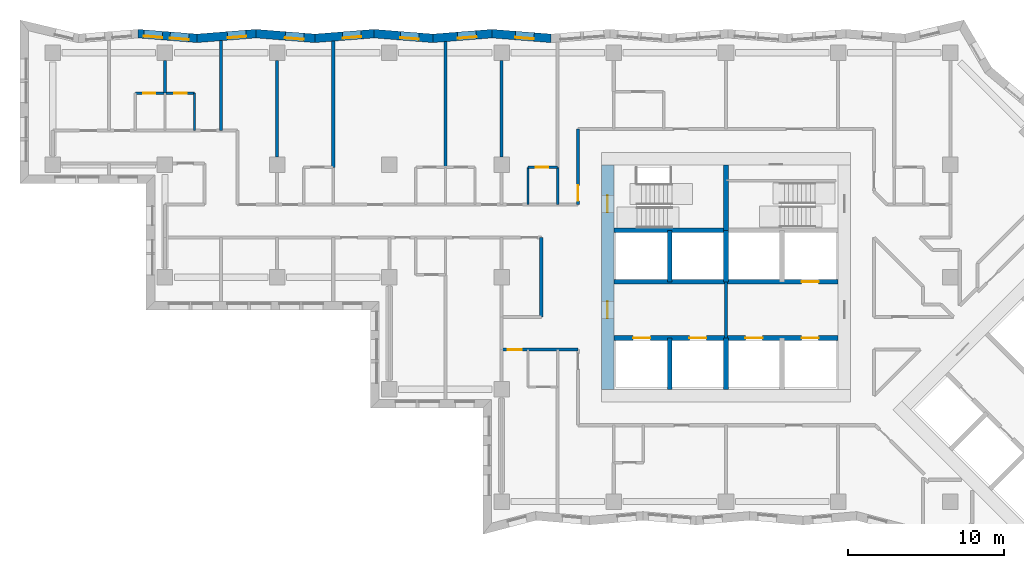
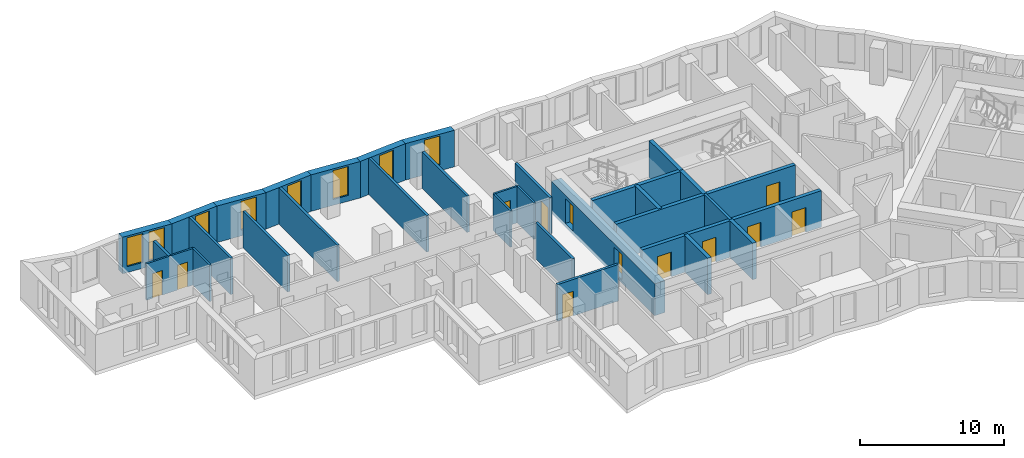
# One storey, part 5 of 12: 31 walls, 12 doors, 8 windows, 20 openings.
"""IFC4 building model written with IfcOpenShell, lengths in metres."""

from ifc_helpers import new_model, si_unit, direction, frame, frame_2d, origin, place, context, subcontext, project, spatial, polyline, rectangle, outline, extrude, material, layer, layer_set, type_object, element, fill, save


model = new_model("IFC4")

# Units and contexts
model_context = context("Model", 3, precision=1e-05, world=origin(), true_north=direction((0.0, 1.0)))
body_context = subcontext(model_context, "Body", "Model", "MODEL_VIEW")
ifc_project = project(units=[si_unit("LENGTHUNIT", "METRE"), si_unit("AREAUNIT", "SQUARE_METRE"), si_unit("VOLUMEUNIT", "CUBIC_METRE"), si_unit("PLANEANGLEUNIT", "RADIAN"), si_unit("MASSUNIT", "GRAM", prefix="KILO")], contexts=[model_context])

# Site, building, storey
site_placement = place(None, origin())
site = spatial("IfcSite", under=ifc_project, at=site_placement, CompositionType="ELEMENT")
building_placement = place(site_placement, origin())
building = spatial("IfcBuilding", under=site, at=building_placement, Name="Windrow Commons", CompositionType="ELEMENT")
storey_placement = place(building_placement, frame((0.0, 0.0, 81.2)))
storey = spatial("IfcBuildingStorey", under=building, at=storey_placement, Name="L21", CompositionType="ELEMENT", Elevation=81.2)

# Wall, opening, window
ifc_material_1 = material(Name="Brick masonry, red clay brick", Category="masonry")
ifc_layer_1 = layer(ifc_material_1, 0.55)
ifc_layer_set_1 = layer_set([ifc_layer_1], Name="Brick facade wall 550")
wall_type_1 = type_object("IfcWallType", Name="Brick facade wall 550", PredefinedType="SOLIDWALL", material=ifc_layer_set_1)
wall_1_placement = place(storey_placement, frame((53.5706, 72.9241, 0.0), z_axis=(0.0, 0.0, 1.0), x_axis=(-0.9968747806, 0.0789979222, 0.0)))
wall_1 = element("IfcWall", 1, at=wall_1_placement, inside=storey, type_object=wall_type_1, Name="Brick facade wall L21 28", PredefinedType="SOLIDWALL", context=body_context, shape_type="SweptSolid", body=[
    extrude(outline(polyline([(0.0218, -0.275), (3.8193, -0.275), (3.7757, 0.275), (-0.0218, 0.275), (0.0218, -0.275)])), origin(), (0.0, 0.0, 1.0), 3.1),
])
opening_1_placement = place(wall_1_placement, frame((1.0903, 0.0, 0.5)))
opening_1 = element("IfcOpeningElement", 2, at=opening_1_placement, cuts=wall_1, Name="Opening W7D", PredefinedType="OPENING", context=body_context, shape_type="SweptSolid", body=[
    extrude(rectangle(XDim=1.2, YDim=2.45, at=frame_2d((0.6, 1.225))), frame((0.0, 0.285, 0.0), z_axis=(0.0, -1.0, 0.0), x_axis=(1.0, 0.0, 0.0)), (0.0, 0.0, 1.0), 0.57),
])
ifc_material_2 = material(Name="Clear float glass in anodised aluminium frame", Category="aluminium")
window_type = type_object("IfcWindowType", Name="Window W7 notch 1200x2450", PartitioningType="SINGLE_PANEL", PredefinedType="WINDOW", material=ifc_material_2)
window_1_placement = place(opening_1_placement, origin())
window_1 = element("IfcWindow", 3, at=window_1_placement, inside=storey, type_object=window_type, Name="Window L21 28.1", OverallHeight=2.45, OverallWidth=1.2, PartitioningType="SINGLE_PANEL", PredefinedType="WINDOW", context=body_context, shape_type="SweptSolid", body=[
    extrude(rectangle(XDim=1.2, YDim=2.45, at=frame_2d((0.6, 1.225))), frame((0.0, 0.155, 0.0), z_axis=(0.0, -1.0, 0.0), x_axis=(1.0, 0.0, 0.0)), (0.0, 0.0, 1.0), 0.06),
])
fill(opening_1, window_1)

wall_2_placement = place(storey_placement, frame((49.7849, 73.2241, 0.0), z_axis=(0.0, 0.0, 1.0), x_axis=(-0.9968746163, -0.078999996, 0.0)))
wall_2 = element("IfcWall", 4, at=wall_2_placement, inside=storey, type_object=wall_type_1, Name="Brick facade wall L21 29", PredefinedType="SOLIDWALL", context=body_context, shape_type="SweptSolid", body=[
    extrude(outline(polyline([(-0.0218, -0.275), (3.7757, -0.275), (3.8193, 0.275), (0.0218, 0.275), (-0.0218, -0.275)])), origin(), (0.0, 0.0, 1.0), 3.1),
])
opening_2_placement = place(wall_2_placement, frame((1.008, 0.0, 0.5)))
opening_2 = element("IfcOpeningElement", 5, at=opening_2_placement, cuts=wall_2, Name="Opening W7D", PredefinedType="OPENING", context=body_context, shape_type="SweptSolid", body=[
    extrude(rectangle(XDim=1.2, YDim=2.45, at=frame_2d((0.6, 1.225))), frame((0.0, 0.285, 0.0), z_axis=(0.0, -1.0, 0.0), x_axis=(1.0, 0.0, 0.0)), (0.0, 0.0, 1.0), 0.57),
])
window_2_placement = place(opening_2_placement, origin())
window_2 = element("IfcWindow", 6, at=window_2_placement, inside=storey, type_object=window_type, Name="Window L21 29.1", OverallHeight=2.45, OverallWidth=1.2, PartitioningType="SINGLE_PANEL", PredefinedType="WINDOW", context=body_context, shape_type="SweptSolid", body=[
    extrude(rectangle(XDim=1.2, YDim=2.45, at=frame_2d((0.6, 1.225))), frame((0.0, 0.155, 0.0), z_axis=(0.0, -1.0, 0.0), x_axis=(1.0, 0.0, 0.0)), (0.0, 0.0, 1.0), 0.06),
])
fill(opening_2, window_2)

wall_3_placement = place(storey_placement, frame((45.9993, 72.9241, 0.0), z_axis=(0.0, 0.0, 1.0), x_axis=(-0.9968746163, 0.078999996, 0.0)))
wall_3 = element("IfcWall", 7, at=wall_3_placement, inside=storey, type_object=wall_type_1, Name="Brick facade wall L21 30", PredefinedType="SOLIDWALL", context=body_context, shape_type="SweptSolid", body=[
    extrude(outline(polyline([(0.0218, -0.275), (3.8193, -0.275), (3.7757, 0.275), (-0.0218, 0.275), (0.0218, -0.275)])), origin(), (0.0, 0.0, 1.0), 3.1),
])
opening_3_placement = place(wall_3_placement, frame((0.9041, 0.0, 0.5)))
opening_3 = element("IfcOpeningElement", 8, at=opening_3_placement, cuts=wall_3, Name="Opening W7D", PredefinedType="OPENING", context=body_context, shape_type="SweptSolid", body=[
    extrude(rectangle(XDim=1.2, YDim=2.45, at=frame_2d((0.6, 1.225))), frame((0.0, 0.285, 0.0), z_axis=(0.0, -1.0, 0.0), x_axis=(1.0, 0.0, 0.0)), (0.0, 0.0, 1.0), 0.57),
])
window_3_placement = place(opening_3_placement, origin())
window_3 = element("IfcWindow", 9, at=window_3_placement, inside=storey, type_object=window_type, Name="Window L21 30.1", OverallHeight=2.45, OverallWidth=1.2, PartitioningType="SINGLE_PANEL", PredefinedType="WINDOW", context=body_context, shape_type="SweptSolid", body=[
    extrude(rectangle(XDim=1.2, YDim=2.45, at=frame_2d((0.6, 1.225))), frame((0.0, 0.155, 0.0), z_axis=(0.0, -1.0, 0.0), x_axis=(1.0, 0.0, 0.0)), (0.0, 0.0, 1.0), 0.06),
])
fill(opening_3, window_3)

wall_4_placement = place(storey_placement, frame((42.2137, 73.2241, 0.0), z_axis=(0.0, 0.0, 1.0), x_axis=(-0.9968746163, -0.078999996, 0.0)))
wall_4 = element("IfcWall", 10, at=wall_4_placement, inside=storey, type_object=wall_type_1, Name="Brick facade wall L21 31", PredefinedType="SOLIDWALL", context=body_context, shape_type="SweptSolid", body=[
    extrude(outline(polyline([(-0.0218, -0.275), (3.7757, -0.275), (3.8193, 0.275), (0.0218, 0.275), (-0.0218, -0.275)])), origin(), (0.0, 0.0, 1.0), 3.1),
])
opening_4_placement = place(wall_4_placement, frame((0.8218, 0.0, 0.5)))
opening_4 = element("IfcOpeningElement", 11, at=opening_4_placement, cuts=wall_4, Name="Opening W7D", PredefinedType="OPENING", context=body_context, shape_type="SweptSolid", body=[
    extrude(rectangle(XDim=1.2, YDim=2.45, at=frame_2d((0.6, 1.225))), frame((0.0, 0.285, 0.0), z_axis=(0.0, -1.0, 0.0), x_axis=(1.0, 0.0, 0.0)), (0.0, 0.0, 1.0), 0.57),
])
window_4_placement = place(opening_4_placement, origin())
window_4 = element("IfcWindow", 12, at=window_4_placement, inside=storey, type_object=window_type, Name="Window L21 31.1", OverallHeight=2.45, OverallWidth=1.2, PartitioningType="SINGLE_PANEL", PredefinedType="WINDOW", context=body_context, shape_type="SweptSolid", body=[
    extrude(rectangle(XDim=1.2, YDim=2.45, at=frame_2d((0.6, 1.225))), frame((0.0, 0.155, 0.0), z_axis=(0.0, -1.0, 0.0), x_axis=(1.0, 0.0, 0.0)), (0.0, 0.0, 1.0), 0.06),
])
fill(opening_4, window_4)

wall_5_placement = place(storey_placement, frame((38.4281, 72.9241, 0.0), z_axis=(0.0, 0.0, 1.0), x_axis=(-0.9968746163, 0.078999996, 0.0)))
wall_5 = element("IfcWall", 13, at=wall_5_placement, inside=storey, type_object=wall_type_1, Name="Brick facade wall L21 32", PredefinedType="SOLIDWALL", context=body_context, shape_type="SweptSolid", body=[
    extrude(outline(polyline([(0.0218, -0.275), (3.8193, -0.275), (3.7757, 0.275), (-0.0218, 0.275), (0.0218, -0.275)])), origin(), (0.0, 0.0, 1.0), 3.1),
])
opening_5_placement = place(wall_5_placement, frame((0.7179, 0.0, 0.5)))
opening_5 = element("IfcOpeningElement", 14, at=opening_5_placement, cuts=wall_5, Name="Opening W7D", PredefinedType="OPENING", context=body_context, shape_type="SweptSolid", body=[
    extrude(rectangle(XDim=1.2, YDim=2.45, at=frame_2d((0.6, 1.225))), frame((0.0, 0.285, 0.0), z_axis=(0.0, -1.0, 0.0), x_axis=(1.0, 0.0, 0.0)), (0.0, 0.0, 1.0), 0.57),
])
window_5_placement = place(opening_5_placement, origin())
window_5 = element("IfcWindow", 15, at=window_5_placement, inside=storey, type_object=window_type, Name="Window L21 32.1", OverallHeight=2.45, OverallWidth=1.2, PartitioningType="SINGLE_PANEL", PredefinedType="WINDOW", context=body_context, shape_type="SweptSolid", body=[
    extrude(rectangle(XDim=1.2, YDim=2.45, at=frame_2d((0.6, 1.225))), frame((0.0, 0.155, 0.0), z_axis=(0.0, -1.0, 0.0), x_axis=(1.0, 0.0, 0.0)), (0.0, 0.0, 1.0), 0.06),
])
fill(opening_5, window_5)

wall_6_placement = place(storey_placement, frame((34.6425, 73.2241, 0.0), z_axis=(0.0, 0.0, 1.0), x_axis=(-0.9968746163, -0.078999996, 0.0)))
wall_6 = element("IfcWall", 16, at=wall_6_placement, inside=storey, type_object=wall_type_1, Name="Brick facade wall L21 33", PredefinedType="SOLIDWALL", context=body_context, shape_type="SweptSolid", body=[
    extrude(outline(polyline([(-0.0218, -0.275), (3.7757, -0.275), (3.8193, 0.275), (0.0218, 0.275), (-0.0218, -0.275)])), origin(), (0.0, 0.0, 1.0), 3.1),
])
opening_6_placement = place(wall_6_placement, frame((0.6356, 0.0, 0.5)))
opening_6 = element("IfcOpeningElement", 17, at=opening_6_placement, cuts=wall_6, Name="Opening W7D", PredefinedType="OPENING", context=body_context, shape_type="SweptSolid", body=[
    extrude(rectangle(XDim=1.2, YDim=2.45, at=frame_2d((0.6, 1.225))), frame((0.0, 0.285, 0.0), z_axis=(0.0, -1.0, 0.0), x_axis=(1.0, 0.0, 0.0)), (0.0, 0.0, 1.0), 0.57),
])
window_6_placement = place(opening_6_placement, origin())
window_6 = element("IfcWindow", 18, at=window_6_placement, inside=storey, type_object=window_type, Name="Window L21 33.1", OverallHeight=2.45, OverallWidth=1.2, PartitioningType="SINGLE_PANEL", PredefinedType="WINDOW", context=body_context, shape_type="SweptSolid", body=[
    extrude(rectangle(XDim=1.2, YDim=2.45, at=frame_2d((0.6, 1.225))), frame((0.0, 0.155, 0.0), z_axis=(0.0, -1.0, 0.0), x_axis=(1.0, 0.0, 0.0)), (0.0, 0.0, 1.0), 0.06),
])
fill(opening_6, window_6)

# Wall, openings, windows
wall_7_placement = place(storey_placement, frame((30.8569, 72.9241, 0.0), z_axis=(0.0, 0.0, 1.0), x_axis=(-0.9968747806, 0.0789979222, 0.0)))
wall_7 = element("IfcWall", 19, at=wall_7_placement, inside=storey, type_object=wall_type_1, Name="Brick facade wall L21 34", PredefinedType="SOLIDWALL", context=body_context, shape_type="SweptSolid", body=[
    extrude(outline(polyline([(0.0218, -0.275), (3.8193, -0.275), (3.7757, 0.275), (-0.0218, 0.275), (0.0218, -0.275)])), origin(), (0.0, 0.0, 1.0), 3.1),
])
opening_7_placement = place(wall_7_placement, frame((0.5317, 0.0, 0.5)))
opening_7 = element("IfcOpeningElement", 20, at=opening_7_placement, cuts=wall_7, Name="Opening W7D", PredefinedType="OPENING", context=body_context, shape_type="SweptSolid", body=[
    extrude(rectangle(XDim=1.2, YDim=2.45, at=frame_2d((0.6, 1.225))), frame((0.0, 0.285, 0.0), z_axis=(0.0, -1.0, 0.0), x_axis=(1.0, 0.0, 0.0)), (0.0, 0.0, 1.0), 0.57),
])
opening_8_placement = place(wall_7_placement, frame((2.2195, 0.0, 0.5)))
opening_8 = element("IfcOpeningElement", 21, at=opening_8_placement, cuts=wall_7, Name="Opening W7D", PredefinedType="OPENING", context=body_context, shape_type="SweptSolid", body=[
    extrude(rectangle(XDim=1.2, YDim=2.45, at=frame_2d((0.6, 1.225))), frame((0.0, 0.285, 0.0), z_axis=(0.0, -1.0, 0.0), x_axis=(1.0, 0.0, 0.0)), (0.0, 0.0, 1.0), 0.57),
])
window_7_placement = place(opening_7_placement, origin())
window_7 = element("IfcWindow", 22, at=window_7_placement, inside=storey, type_object=window_type, Name="Window L21 34.1", OverallHeight=2.45, OverallWidth=1.2, PartitioningType="SINGLE_PANEL", PredefinedType="WINDOW", context=body_context, shape_type="SweptSolid", body=[
    extrude(rectangle(XDim=1.2, YDim=2.45, at=frame_2d((0.6, 1.225))), frame((0.0, 0.155, 0.0), z_axis=(0.0, -1.0, 0.0), x_axis=(1.0, 0.0, 0.0)), (0.0, 0.0, 1.0), 0.06),
])
fill(opening_7, window_7)
window_8_placement = place(opening_8_placement, origin())
window_8 = element("IfcWindow", 23, at=window_8_placement, inside=storey, type_object=window_type, Name="Window L21 34.2", OverallHeight=2.45, OverallWidth=1.2, PartitioningType="SINGLE_PANEL", PredefinedType="WINDOW", context=body_context, shape_type="SweptSolid", body=[
    extrude(rectangle(XDim=1.2, YDim=2.45, at=frame_2d((0.6, 1.225))), frame((0.0, 0.155, 0.0), z_axis=(0.0, -1.0, 0.0), x_axis=(1.0, 0.0, 0.0)), (0.0, 0.0, 1.0), 0.06),
])
fill(opening_8, window_8)

# Walls
ifc_material_3 = material(Name="Blockwork partition", Category="masonry")
ifc_layer_2 = layer(ifc_material_3, 0.2)
ifc_layer_set_2 = layer_set([ifc_layer_2], Name="Fire lobby partition 200")
wall_type_2 = type_object("IfcWallType", Name="Fire lobby partition 200", PredefinedType="PARTITIONING", material=ifc_layer_set_2)
wall_8_placement = place(storey_placement, frame((64.8, 53.7, 0.0), z_axis=(0.0, 0.0, 1.0), x_axis=(0.0, 1.0, 0.0)))
element("IfcWall", 24, at=wall_8_placement, inside=storey, type_object=wall_type_2, Name="W-core-lobby-A-L21", PredefinedType="PARTITIONING", context=body_context, shape_type="SweptSolid", body=[
    extrude(rectangle(XDim=3.6, YDim=0.2, at=frame_2d((1.8, 0.0))), origin(), (0.0, 0.0, 1.0), 3.1),
])
ifc_material_4 = material(Name="Blockwork partition", Category="masonry")
ifc_layer_3 = layer(ifc_material_4, 0.2)
ifc_layer_set_3 = layer_set([ifc_layer_3], Name="IW-CORRIDOR-200")
wall_type_3 = type_object("IfcWallType", Name="IW-CORRIDOR-200", PredefinedType="PARTITIONING", material=ifc_layer_set_3)
wall_9_placement = place(storey_placement, frame((52.95, 55.05, 0.0), z_axis=(0.0, 0.0, 1.0), x_axis=(0.0, 1.0, 0.0)))
element("IfcWall", 25, at=wall_9_placement, inside=storey, type_object=wall_type_3, Name="W-L21-W036", PredefinedType="PARTITIONING", context=body_context, shape_type="SweptSolid", body=[
    extrude(rectangle(XDim=5.1, YDim=0.2, at=frame_2d((2.55, 0.0))), origin(), (0.0, 0.0, 1.0), 3.1),
])

# Wall, opening, door
wall_10_placement = place(storey_placement, frame((50.4, 52.95, 0.0), z_axis=(0.0, 0.0, 1.0), x_axis=(1.0, 0.0, 0.0)))
wall_10 = element("IfcWall", 26, at=wall_10_placement, inside=storey, type_object=wall_type_3, Name="W-L21-W039", PredefinedType="PARTITIONING", context=body_context, shape_type="SweptSolid", body=[
    extrude(rectangle(XDim=4.9, YDim=0.2, at=frame_2d((2.45, 0.0))), origin(), (0.0, 0.0, 1.0), 3.1),
])
opening_9_placement = place(wall_10_placement, frame((0.4, 0.0, 0.0)))
opening_9 = element("IfcOpeningElement", 27, at=opening_9_placement, cuts=wall_10, Name="Opening D109S", PredefinedType="OPENING", context=body_context, shape_type="SweptSolid", body=[
    extrude(rectangle(XDim=0.9, YDim=2.1, at=frame_2d((0.45, 1.05))), frame((0.0, 0.11, 0.0), z_axis=(0.0, -1.0, 0.0), x_axis=(1.0, 0.0, 0.0)), (0.0, 0.0, 1.0), 0.22),
])
ifc_material_5 = material(Name="Timber door leaf", Category="wood")
door_type_1 = type_object("IfcDoorType", Name="DT-BEDROOM-900", OperationType="SINGLE_SWING_LEFT", PredefinedType="DOOR", material=ifc_material_5)
door_1_placement = place(opening_9_placement, origin())
door_1 = element("IfcDoor", 28, at=door_1_placement, inside=storey, type_object=door_type_1, Name="D-L21-D031", OperationType="SINGLE_SWING_LEFT", OverallHeight=2.1, OverallWidth=0.9, PredefinedType="DOOR", context=body_context, shape_type="SweptSolid", body=[
    extrude(rectangle(XDim=0.9, YDim=2.1, at=frame_2d((0.45, 1.05))), frame((0.0, 0.025, 0.0), z_axis=(0.0, -1.0, 0.0), x_axis=(1.0, 0.0, 0.0)), (0.0, 0.0, 1.0), 0.05),
])
fill(opening_9, door_1)

wall_11_placement = place(storey_placement, frame((55.3, 62.252, 0.0), z_axis=(0.0, 0.0, 1.0), x_axis=(0.0, 1.0, 0.0)))
wall_11 = element("IfcWall", 29, at=wall_11_placement, inside=storey, type_object=wall_type_3, Name="W-L21-W041", PredefinedType="PARTITIONING", context=body_context, shape_type="SweptSolid", body=[
    extrude(rectangle(XDim=4.848, YDim=0.2, at=frame_2d((2.424, 0.0))), origin(), (0.0, 0.0, 1.0), 3.1),
])
opening_10_placement = place(wall_11_placement, frame((0.2429, 0.0, 0.0)))
opening_10 = element("IfcOpeningElement", 30, at=opening_10_placement, cuts=wall_11, Name="Opening D310F", PredefinedType="OPENING", context=body_context, shape_type="SweptSolid", body=[
    extrude(rectangle(XDim=1.0, YDim=2.1, at=frame_2d((0.5, 1.05))), frame((0.0, 0.11, 0.0), z_axis=(0.0, -1.0, 0.0), x_axis=(1.0, 0.0, 0.0)), (0.0, 0.0, 1.0), 0.22),
])
ifc_material_6 = material(Name="Timber door leaf", Category="wood")
door_type_2 = type_object("IfcDoorType", Name="DT-AMENITY-1000", OperationType="SINGLE_SWING_LEFT", PredefinedType="DOOR", material=ifc_material_6)
door_2_placement = place(opening_10_placement, origin())
door_2 = element("IfcDoor", 31, at=door_2_placement, inside=storey, type_object=door_type_2, Name="D-L21-D021", OperationType="SINGLE_SWING_LEFT", OverallHeight=2.1, OverallWidth=1.0, PredefinedType="DOOR", context=body_context, shape_type="SweptSolid", body=[
    extrude(rectangle(XDim=1.0, YDim=2.1, at=frame_2d((0.5, 1.05))), frame((0.0, 0.025, 0.0), z_axis=(0.0, -1.0, 0.0), x_axis=(1.0, 0.0, 0.0)), (0.0, 0.0, 1.0), 0.05),
])
fill(opening_10, door_2)

# Wall, openings, doors
ifc_material_7 = material(Name="Blockwork partition", Category="masonry")
ifc_layer_4 = layer(ifc_material_7, 0.15)
ifc_layer_set_4 = layer_set([ifc_layer_4], Name="IW-ENSUITE-150")
wall_type_4 = type_object("IfcWallType", Name="IW-ENSUITE-150", PredefinedType="PARTITIONING", material=ifc_layer_set_4)
wall_12_placement = place(storey_placement, frame((26.9, 69.4, 0.0), z_axis=(0.0, 0.0, 1.0), x_axis=(1.0, 0.0, 0.0)))
wall_12 = element("IfcWall", 32, at=wall_12_placement, inside=storey, type_object=wall_type_4, Name="W-L21-W056", PredefinedType="PARTITIONING", context=body_context, shape_type="SweptSolid", body=[
    extrude(rectangle(XDim=3.8, YDim=0.15, at=frame_2d((1.9, 0.0))), origin(), (0.0, 0.0, 1.0), 3.1),
])
opening_11_placement = place(wall_12_placement, frame((0.4931, 0.0, 0.0)))
opening_11 = element("IfcOpeningElement", 33, at=opening_11_placement, cuts=wall_12, Name="Opening D208N", PredefinedType="OPENING", context=body_context, shape_type="SweptSolid", body=[
    extrude(rectangle(XDim=0.8, YDim=2.1, at=frame_2d((0.4, 1.05))), frame((0.0, 0.085, 0.0), z_axis=(0.0, -1.0, 0.0), x_axis=(1.0, 0.0, 0.0)), (0.0, 0.0, 1.0), 0.17),
])
opening_12_placement = place(wall_12_placement, frame((2.5069, 0.0, 0.0)))
opening_12 = element("IfcOpeningElement", 34, at=opening_12_placement, cuts=wall_12, Name="Opening D208N", PredefinedType="OPENING", context=body_context, shape_type="SweptSolid", body=[
    extrude(rectangle(XDim=0.8, YDim=2.1, at=frame_2d((0.4, 1.05))), frame((0.0, 0.085, 0.0), z_axis=(0.0, -1.0, 0.0), x_axis=(1.0, 0.0, 0.0)), (0.0, 0.0, 1.0), 0.17),
])
ifc_material_8 = material(Name="Timber door leaf", Category="wood")
door_type_3 = type_object("IfcDoorType", Name="DT-ENSUITE-800", OperationType="SINGLE_SWING_LEFT", PredefinedType="DOOR", material=ifc_material_8)
door_3_placement = place(opening_11_placement, origin())
door_3 = element("IfcDoor", 35, at=door_3_placement, inside=storey, type_object=door_type_3, Name="D-L21-D003", OperationType="SINGLE_SWING_RIGHT", OverallHeight=2.1, OverallWidth=0.8, PredefinedType="DOOR", context=body_context, shape_type="SweptSolid", body=[
    extrude(rectangle(XDim=0.8, YDim=2.1, at=frame_2d((0.4, 1.05))), frame((0.0, 0.025, 0.0), z_axis=(0.0, -1.0, 0.0), x_axis=(1.0, 0.0, 0.0)), (0.0, 0.0, 1.0), 0.05),
])
fill(opening_11, door_3)
door_4_placement = place(opening_12_placement, origin())
door_4 = element("IfcDoor", 36, at=door_4_placement, inside=storey, type_object=door_type_3, Name="D-L21-D005", OperationType="SINGLE_SWING_RIGHT", OverallHeight=2.1, OverallWidth=0.8, PredefinedType="DOOR", context=body_context, shape_type="SweptSolid", body=[
    extrude(rectangle(XDim=0.8, YDim=2.1, at=frame_2d((0.4, 1.05))), frame((0.0, 0.025, 0.0), z_axis=(0.0, -1.0, 0.0), x_axis=(1.0, 0.0, 0.0)), (0.0, 0.0, 1.0), 0.05),
])
fill(opening_12, door_4)

# Walls
for number, where, z_axis, x_axis, name in (
    (37, (30.7, 67.0, 0.0), (0.0, 0.0, 1.0), (0.0, 1.0, 0.0), "W-L21-W073"),
    (38, (52.1, 62.25, 0.0), (0.0, 0.0, 1.0), (0.0, 1.0, 0.0), "W-L21-W080"),
    (39, (54.0, 62.25, 0.0), (0.0, 0.0, 1.0), (0.0, 1.0, 0.0), "W-L21-W082"),
):
    element("IfcWall", number, at=place(storey_placement, frame(where, z_axis=z_axis, x_axis=x_axis)), inside=storey, type_object=wall_type_4, Name=name, PredefinedType="PARTITIONING", context=body_context, shape_type="SweptSolid", body=[
        extrude(rectangle(XDim=2.4, YDim=0.15, at=frame_2d((1.2, 0.0))), origin(), (0.0, 0.0, 1.0), 3.1),
    ])

# Wall, opening, door
wall_13_placement = place(storey_placement, frame((52.1, 64.65, 0.0), z_axis=(0.0, 0.0, 1.0), x_axis=(1.0, 0.0, 0.0)))
wall_13 = element("IfcWall", 40, at=wall_13_placement, inside=storey, type_object=wall_type_4, Name="W-L21-W127", PredefinedType="PARTITIONING", context=body_context, shape_type="SweptSolid", body=[
    extrude(rectangle(XDim=1.9, YDim=0.15, at=frame_2d((0.95, 0.0))), origin(), (0.0, 0.0, 1.0), 3.1),
])
opening_13_placement = place(wall_13_placement, frame((0.4931, 0.0, 0.0)))
opening_13 = element("IfcOpeningElement", 41, at=opening_13_placement, cuts=wall_13, Name="Opening D208N", PredefinedType="OPENING", context=body_context, shape_type="SweptSolid", body=[
    extrude(rectangle(XDim=0.8, YDim=2.1, at=frame_2d((0.4, 1.05))), frame((0.0, 0.085, 0.0), z_axis=(0.0, -1.0, 0.0), x_axis=(1.0, 0.0, 0.0)), (0.0, 0.0, 1.0), 0.17),
])
door_5_placement = place(opening_13_placement, origin())
door_5 = element("IfcDoor", 42, at=door_5_placement, inside=storey, type_object=door_type_3, Name="D-L21-D020", OperationType="SINGLE_SWING_RIGHT", OverallHeight=2.1, OverallWidth=0.8, PredefinedType="DOOR", context=body_context, shape_type="SweptSolid", body=[
    extrude(rectangle(XDim=0.8, YDim=2.1, at=frame_2d((0.4, 1.05))), frame((0.0, 0.025, 0.0), z_axis=(0.0, -1.0, 0.0), x_axis=(1.0, 0.0, 0.0)), (0.0, 0.0, 1.0), 0.05),
])
fill(opening_13, door_5)

# Walls
ifc_material_9 = material(Name="Blockwork partition", Category="masonry")
ifc_layer_5 = layer(ifc_material_9, 0.2)
ifc_layer_set_5 = layer_set([ifc_layer_5], Name="IW-PARTY-200")
wall_type_5 = type_object("IfcWallType", Name="IW-PARTY-200", PredefinedType="PARTITIONING", material=ifc_layer_set_5)
wall_14_placement = place(storey_placement, frame((39.6, 64.65, 0.0), z_axis=(0.0, 0.0, 1.0), x_axis=(0.0, 1.0, 0.0)))
element("IfcWall", 43, at=wall_14_placement, inside=storey, type_object=wall_type_5, Name="W-L21-W014", PredefinedType="PARTITIONING", context=body_context, shape_type="SweptSolid", body=[
    extrude(rectangle(XDim=8.0911, YDim=0.2, at=frame_2d((4.0456, 0.0))), origin(), (0.0, 0.0, 1.0), 3.1),
])
wall_15_placement = place(storey_placement, frame((46.8, 64.65, 0.0), z_axis=(0.0, 0.0, 1.0), x_axis=(0.0, 1.0, 0.0)))
element("IfcWall", 44, at=wall_15_placement, inside=storey, type_object=wall_type_5, Name="W-L21-W016", PredefinedType="PARTITIONING", context=body_context, shape_type="SweptSolid", body=[
    extrude(rectangle(XDim=8.0617, YDim=0.2, at=frame_2d((4.0309, 0.0))), origin(), (0.0, 0.0, 1.0), 3.1),
])
for number, where, z_axis, x_axis, name in (
    (45, (36.0, 65.3, 0.0), (0.0, 0.0, 1.0), (0.0, 1.0, 0.0), "W-L21-W023"),
    (46, (50.4, 65.3, 0.0), (0.0, 0.0, 1.0), (0.0, 1.0, 0.0), "W-L21-W025"),
):
    element("IfcWall", number, at=place(storey_placement, frame(where, z_axis=z_axis, x_axis=x_axis)), inside=storey, type_object=wall_type_5, Name=name, PredefinedType="PARTITIONING", context=body_context, shape_type="SweptSolid", body=[
        extrude(rectangle(XDim=6.2, YDim=0.2, at=frame_2d((3.1, 0.0))), origin(), (0.0, 0.0, 1.0), 3.1),
    ])
wall_16_placement = place(storey_placement, frame((32.4, 67.0, 0.0), z_axis=(0.0, 0.0, 1.0), x_axis=(0.0, 1.0, 0.0)))
element("IfcWall", 47, at=wall_16_placement, inside=storey, type_object=wall_type_5, Name="W-L21-W034", PredefinedType="PARTITIONING", context=body_context, shape_type="SweptSolid", body=[
    extrude(rectangle(XDim=5.7706, YDim=0.2, at=frame_2d((2.8853, 0.0))), origin(), (0.0, 0.0, 1.0), 3.1),
])
wall_17_placement = place(storey_placement, frame((28.8, 69.4, 0.0), z_axis=(0.0, 0.0, 1.0), x_axis=(0.0, 1.0, 0.0)))
element("IfcWall", 48, at=wall_17_placement, inside=storey, type_object=wall_type_5, Name="W-L21-W104", PredefinedType="PARTITIONING", context=body_context, shape_type="SweptSolid", body=[
    extrude(rectangle(XDim=2.1, YDim=0.2, at=frame_2d((1.05, 0.0))), origin(), (0.0, 0.0, 1.0), 3.1),
])

# Wall, openings, doors
ifc_material_10 = material(Name="Concrete C50/60", Category="concrete")
ifc_layer_6 = layer(ifc_material_10, 0.8)
ifc_layer_set_6 = layer_set([ifc_layer_6], Name="RC CORE WALL 800 C50/60")
wall_type_6 = type_object("IfcWallType", Name="RC CORE WALL 800 C50/60", PredefinedType="SHEAR", material=ifc_layer_set_6)
wall_18_placement = place(storey_placement, frame((57.2, 50.4, -0.3), z_axis=(0.0, 0.0, 1.0), x_axis=(0.0, 1.0, 0.0)))
wall_18 = element("IfcWall", 49, at=wall_18_placement, inside=storey, type_object=wall_type_6, Name="Core A wall outer-W", PredefinedType="SHEAR", context=body_context, shape_type="SweptSolid", body=[
    extrude(rectangle(XDim=14.4, YDim=0.8, at=frame_2d((7.2, 0.0))), origin(), (0.0, 0.0, 1.0), 2.7),
])
opening_14_placement = place(wall_18_placement, frame((4.55, 0.0, 0.3)))
opening_14 = element("IfcOpeningElement", 50, at=opening_14_placement, cuts=wall_18, Name="Opening D6", PredefinedType="OPENING", context=body_context, shape_type="SweptSolid", body=[
    extrude(rectangle(XDim=1.1, YDim=2.1, at=frame_2d((0.55, 1.05))), frame((0.0, 0.41, 0.0), z_axis=(0.0, -1.0, 0.0), x_axis=(1.0, 0.0, 0.0)), (0.0, 0.0, 1.0), 0.82),
])
opening_15_placement = place(wall_18_placement, frame((11.35, 0.0, 0.3)))
opening_15 = element("IfcOpeningElement", 51, at=opening_15_placement, cuts=wall_18, Name="Opening D7", PredefinedType="OPENING", context=body_context, shape_type="SweptSolid", body=[
    extrude(rectangle(XDim=1.1, YDim=2.1, at=frame_2d((0.55, 1.05))), frame((0.0, 0.41, 0.0), z_axis=(0.0, -1.0, 0.0), x_axis=(1.0, 0.0, 0.0)), (0.0, 0.0, 1.0), 0.82),
])
ifc_material_11 = material(Name="Steel fire door leaf", Category="steel")
door_type_4 = type_object("IfcDoorType", Name="Core lobby door 1100", OperationType="SINGLE_SWING_LEFT", PredefinedType="DOOR", material=ifc_material_11)
door_6_placement = place(opening_14_placement, origin())
door_6 = element("IfcDoor", 52, at=door_6_placement, inside=storey, type_object=door_type_4, Name="Lift lobby door", OperationType="DOUBLE_DOOR_SINGLE_SWING", OverallHeight=2.1, OverallWidth=1.1, PredefinedType="DOOR", context=body_context, shape_type="SweptSolid", body=[
    extrude(rectangle(XDim=1.1, YDim=2.1, at=frame_2d((0.55, 1.05))), frame((0.0, 0.025, 0.0), z_axis=(0.0, -1.0, 0.0), x_axis=(1.0, 0.0, 0.0)), (0.0, 0.0, 1.0), 0.05),
])
fill(opening_14, door_6)
ifc_material_12 = material(Name="Steel fire door leaf", Category="steel")
door_type_5 = type_object("IfcDoorType", Name="Stair door 1100", OperationType="SINGLE_SWING_LEFT", PredefinedType="DOOR", material=ifc_material_12)
door_7_placement = place(opening_15_placement, origin())
door_7 = element("IfcDoor", 53, at=door_7_placement, inside=storey, type_object=door_type_5, Name="Stair door", OperationType="SINGLE_SWING_LEFT", OverallHeight=2.1, OverallWidth=1.1, PredefinedType="DOOR", context=body_context, shape_type="SweptSolid", body=[
    extrude(rectangle(XDim=1.1, YDim=2.1, at=frame_2d((0.55, 1.05))), frame((0.0, 0.025, 0.0), z_axis=(0.0, -1.0, 0.0), x_axis=(1.0, 0.0, 0.0)), (0.0, 0.0, 1.0), 0.05),
])
fill(opening_15, door_7)

# Walls
ifc_material_13 = material(Name="Concrete C50/60", Category="concrete")
ifc_layer_7 = layer(ifc_material_13, 0.3)
ifc_layer_set_7 = layer_set([ifc_layer_7], Name="RC SHAFT WALL 300 C50/60")
wall_type_7 = type_object("IfcWallType", Name="RC SHAFT WALL 300 C50/60", PredefinedType="SOLIDWALL", material=ifc_layer_set_7)
for number, where, z_axis, x_axis, name in (
    (54, (61.2, 50.4, 0.0), (0.0, 0.0, 1.0), (0.0, 1.0, 0.0), "Core A wall shaft-S1"),
    (55, (61.2, 57.3, 0.0), (0.0, 0.0, 1.0), (0.0, 1.0, 0.0), "Core A wall shaft-N1"),
    (56, (64.8, 50.4, 0.0), (0.0, 0.0, 1.0), (0.0, 1.0, 0.0), "Core A wall shaft-S2"),
    (57, (64.8, 57.3, 0.0), (0.0, 0.0, 1.0), (0.0, 1.0, 0.0), "Core A wall shaft-N2"),
):
    element("IfcWall", number, at=place(storey_placement, frame(where, z_axis=z_axis, x_axis=x_axis)), inside=storey, type_object=wall_type_7, Name=name, PredefinedType="SOLIDWALL", context=body_context, shape_type="SweptSolid", body=[
        extrude(rectangle(XDim=3.3, YDim=0.3, at=frame_2d((1.65, 0.0))), origin(), (0.0, 0.0, 1.0), 3.1),
    ])

# Wall, openings, doors
wall_19_placement = place(storey_placement, frame((57.6, 53.7, 0.0), z_axis=(0.0, 0.0, 1.0), x_axis=(1.0, 0.0, 0.0)))
wall_19 = element("IfcWall", 58, at=wall_19_placement, inside=storey, type_object=wall_type_7, Name="Core A wall lobby-S", PredefinedType="SOLIDWALL", context=body_context, shape_type="SweptSolid", body=[
    extrude(rectangle(XDim=14.4, YDim=0.3, at=frame_2d((7.2, 0.0))), origin(), (0.0, 0.0, 1.0), 3.1),
])
opening_16_placement = place(wall_19_placement, frame((1.25, 0.0, 0.0)))
opening_16 = element("IfcOpeningElement", 59, at=opening_16_placement, cuts=wall_19, Name="Opening LD", PredefinedType="OPENING", context=body_context, shape_type="SweptSolid", body=[
    extrude(rectangle(XDim=1.1, YDim=2.1, at=frame_2d((0.55, 1.05))), frame((0.0, 0.16, 0.0), z_axis=(0.0, -1.0, 0.0), x_axis=(1.0, 0.0, 0.0)), (0.0, 0.0, 1.0), 0.32),
])
opening_17_placement = place(wall_19_placement, frame((4.85, 0.0, 0.0)))
opening_17 = element("IfcOpeningElement", 60, at=opening_17_placement, cuts=wall_19, Name="Opening LD", PredefinedType="OPENING", context=body_context, shape_type="SweptSolid", body=[
    extrude(rectangle(XDim=1.1, YDim=2.1, at=frame_2d((0.55, 1.05))), frame((0.0, 0.16, 0.0), z_axis=(0.0, -1.0, 0.0), x_axis=(1.0, 0.0, 0.0)), (0.0, 0.0, 1.0), 0.32),
])
opening_18_placement = place(wall_19_placement, frame((8.45, 0.0, 0.0)))
opening_18 = element("IfcOpeningElement", 61, at=opening_18_placement, cuts=wall_19, Name="Opening LD", PredefinedType="OPENING", context=body_context, shape_type="SweptSolid", body=[
    extrude(rectangle(XDim=1.1, YDim=2.1, at=frame_2d((0.55, 1.05))), frame((0.0, 0.16, 0.0), z_axis=(0.0, -1.0, 0.0), x_axis=(1.0, 0.0, 0.0)), (0.0, 0.0, 1.0), 0.32),
])
opening_19_placement = place(wall_19_placement, frame((12.05, 0.0, 0.0)))
opening_19 = element("IfcOpeningElement", 62, at=opening_19_placement, cuts=wall_19, Name="Opening LD", PredefinedType="OPENING", context=body_context, shape_type="SweptSolid", body=[
    extrude(rectangle(XDim=1.1, YDim=2.1, at=frame_2d((0.55, 1.05))), frame((0.0, 0.16, 0.0), z_axis=(0.0, -1.0, 0.0), x_axis=(1.0, 0.0, 0.0)), (0.0, 0.0, 1.0), 0.32),
])
ifc_material_14 = material(Name="Stainless steel door leaf", Category="steel")
door_type_6 = type_object("IfcDoorType", Name="Lift landing door 1100", OperationType="SLIDING_TO_LEFT", PredefinedType="DOOR", material=ifc_material_14)
door_8_placement = place(opening_16_placement, origin())
door_8 = element("IfcDoor", 63, at=door_8_placement, inside=storey, type_object=door_type_6, Name="Lift landing door", OperationType="SLIDING_TO_LEFT", OverallHeight=2.1, OverallWidth=1.1, PredefinedType="DOOR", context=body_context, shape_type="SweptSolid", body=[
    extrude(rectangle(XDim=1.1, YDim=2.1, at=frame_2d((0.55, 1.05))), frame((0.0, 0.025, 0.0), z_axis=(0.0, -1.0, 0.0), x_axis=(1.0, 0.0, 0.0)), (0.0, 0.0, 1.0), 0.05),
])
fill(opening_16, door_8)
door_9_placement = place(opening_17_placement, origin())
door_9 = element("IfcDoor", 64, at=door_9_placement, inside=storey, type_object=door_type_6, Name="Lift landing door", OperationType="SLIDING_TO_RIGHT", OverallHeight=2.1, OverallWidth=1.1, PredefinedType="DOOR", context=body_context, shape_type="SweptSolid", body=[
    extrude(rectangle(XDim=1.1, YDim=2.1, at=frame_2d((0.55, 1.05))), frame((0.0, 0.025, 0.0), z_axis=(0.0, -1.0, 0.0), x_axis=(1.0, 0.0, 0.0)), (0.0, 0.0, 1.0), 0.05),
])
fill(opening_17, door_9)
door_10_placement = place(opening_18_placement, origin())
door_10 = element("IfcDoor", 65, at=door_10_placement, inside=storey, type_object=door_type_6, Name="Lift landing door", OperationType="SLIDING_TO_LEFT", OverallHeight=2.1, OverallWidth=1.1, PredefinedType="DOOR", context=body_context, shape_type="SweptSolid", body=[
    extrude(rectangle(XDim=1.1, YDim=2.1, at=frame_2d((0.55, 1.05))), frame((0.0, 0.025, 0.0), z_axis=(0.0, -1.0, 0.0), x_axis=(1.0, 0.0, 0.0)), (0.0, 0.0, 1.0), 0.05),
])
fill(opening_18, door_10)
door_11_placement = place(opening_19_placement, origin())
door_11 = element("IfcDoor", 66, at=door_11_placement, inside=storey, type_object=door_type_6, Name="Lift landing door", OperationType="SLIDING_TO_RIGHT", OverallHeight=2.1, OverallWidth=1.1, PredefinedType="DOOR", context=body_context, shape_type="SweptSolid", body=[
    extrude(rectangle(XDim=1.1, YDim=2.1, at=frame_2d((0.55, 1.05))), frame((0.0, 0.025, 0.0), z_axis=(0.0, -1.0, 0.0), x_axis=(1.0, 0.0, 0.0)), (0.0, 0.0, 1.0), 0.05),
])
fill(opening_19, door_11)

# Wall, opening, door
wall_20_placement = place(storey_placement, frame((57.6, 57.3, 0.0), z_axis=(0.0, 0.0, 1.0), x_axis=(1.0, 0.0, 0.0)))
wall_20 = element("IfcWall", 67, at=wall_20_placement, inside=storey, type_object=wall_type_7, Name="Core A wall lobby-N", PredefinedType="SOLIDWALL", context=body_context, shape_type="SweptSolid", body=[
    extrude(rectangle(XDim=14.4, YDim=0.3, at=frame_2d((7.2, 0.0))), origin(), (0.0, 0.0, 1.0), 3.1),
])
opening_20_placement = place(wall_20_placement, frame((12.05, 0.0, 0.0)))
opening_20 = element("IfcOpeningElement", 68, at=opening_20_placement, cuts=wall_20, Name="Opening LD", PredefinedType="OPENING", context=body_context, shape_type="SweptSolid", body=[
    extrude(rectangle(XDim=1.1, YDim=2.1, at=frame_2d((0.55, 1.05))), frame((0.0, 0.16, 0.0), z_axis=(0.0, -1.0, 0.0), x_axis=(1.0, 0.0, 0.0)), (0.0, 0.0, 1.0), 0.32),
])
door_12_placement = place(opening_20_placement, origin())
door_12 = element("IfcDoor", 69, at=door_12_placement, inside=storey, type_object=door_type_6, Name="Lift landing door", OperationType="SLIDING_TO_RIGHT", OverallHeight=2.1, OverallWidth=1.1, PredefinedType="DOOR", context=body_context, shape_type="SweptSolid", body=[
    extrude(rectangle(XDim=1.1, YDim=2.1, at=frame_2d((0.55, 1.05))), frame((0.0, 0.025, 0.0), z_axis=(0.0, -1.0, 0.0), x_axis=(1.0, 0.0, 0.0)), (0.0, 0.0, 1.0), 0.05),
])
fill(opening_20, door_12)

# Walls
wall_21_placement = place(storey_placement, frame((57.6, 60.6, 0.0), z_axis=(0.0, 0.0, 1.0), x_axis=(1.0, 0.0, 0.0)))
element("IfcWall", 70, at=wall_21_placement, inside=storey, type_object=wall_type_7, Name="Core A wall stair-S", PredefinedType="SOLIDWALL", context=body_context, shape_type="SweptSolid", body=[
    extrude(rectangle(XDim=7.2, YDim=0.3, at=frame_2d((3.6, 0.0))), origin(), (0.0, 0.0, 1.0), 3.1),
])
wall_22_placement = place(storey_placement, frame((64.8, 60.6, 0.0), z_axis=(0.0, 0.0, 1.0), x_axis=(0.0, 1.0, 0.0)))
element("IfcWall", 71, at=wall_22_placement, inside=storey, type_object=wall_type_7, Name="Core A wall stair-mid", PredefinedType="SOLIDWALL", context=body_context, shape_type="SweptSolid", body=[
    extrude(rectangle(XDim=4.2, YDim=0.3, at=frame_2d((2.1, 0.0))), origin(), (0.0, 0.0, 1.0), 3.1),
])

save(model, "model.ifc")
